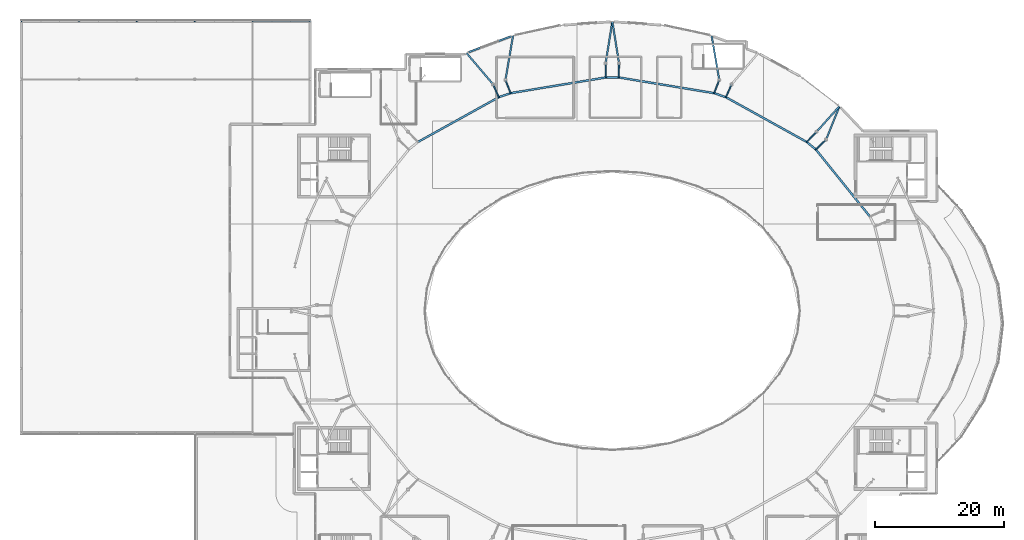
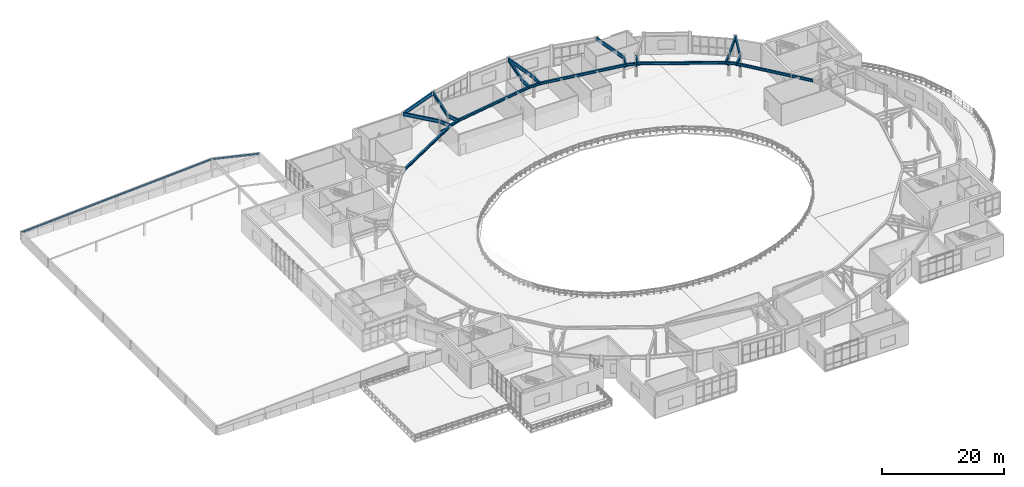
# One storey, part 26 of 48: 27 beams, 8 members.
"""IFC4 building model written with IfcOpenShell, lengths in metres."""

from ifc_helpers import new_model, si_unit, direction, frame, origin, origin_2d, place, context, subcontext, project, spatial, hollow_circle, i_section, extrude, material, material_profile, profile_set, type_object, element, save


model = new_model("IFC4")

# Units and contexts
model_context = context("Model", 3, precision=1e-05, world=origin(), true_north=direction((0.0, 1.0)))
body_context = subcontext(model_context, "Body", "Model", "MODEL_VIEW")
ifc_project = project(units=[si_unit("LENGTHUNIT", "METRE"), si_unit("AREAUNIT", "SQUARE_METRE"), si_unit("VOLUMEUNIT", "CUBIC_METRE"), si_unit("PLANEANGLEUNIT", "RADIAN"), si_unit("MASSUNIT", "GRAM", prefix="KILO")], contexts=[model_context])

# Site, building, storey
site_placement = place(None, origin())
site = spatial("IfcSite", under=ifc_project, at=site_placement, CompositionType="ELEMENT")
building_placement = place(site_placement, origin())
building = spatial("IfcBuilding", under=site, at=building_placement, Name="Glasvene Arena", CompositionType="ELEMENT")
storey_placement = place(building_placement, frame((0.0, 0.0, 19.5)))
storey = spatial("IfcBuildingStorey", under=building, at=storey_placement, Name="L04", CompositionType="ELEMENT", Elevation=19.5)

# Beams
ifc_material = material(Name="Steel S355J2", Category="steel")
ifc_material_profile_1 = material_profile(ifc_material, i_section(OverallWidth=0.300048828125, OverallDepth=0.5, WebThickness=0.014404296875, FlangeThickness=0.028076171875, FilletRadius=0.027099609375, at=origin_2d()), Name="HEB 500")
ifc_profile_set_1 = profile_set([ifc_material_profile_1], Name="Steel S355J2")
beam_type_1 = type_object("IfcBeamType", Name="BM-EAVE-CANT", PredefinedType="BEAM", material=ifc_profile_set_1)
beam_1_placement = place(storey_placement, frame((132.0751953125, 87.648681640625, 4.0), z_axis=(-0.627641676125, 0.778502361198, 0.0), x_axis=(-0.778502361198, -0.627641676125, 0.0)))
element("IfcBeam", 1, at=beam_1_placement, inside=storey, type_object=beam_type_1, Name="Gondola inner ring girder 03", PredefinedType="BEAM", context=body_context, shape_type="SweptSolid", body=[
    extrude(i_section(OverallWidth=0.300048828125, OverallDepth=0.5, WebThickness=0.014404296875, FlangeThickness=0.028076171875, FilletRadius=0.027099609375, at=origin_2d()), origin(), (0.0, 0.0, 1.0), 13.39794921875),
])
beam_2_placement = place(storey_placement, frame((123.666015625, 98.0791015625, 4.0), z_axis=(-0.770027193344, 0.638011066919, 0.0), x_axis=(-0.638011066919, -0.770027193344, 0.0)))
element("IfcBeam", 2, at=beam_2_placement, inside=storey, type_object=beam_type_1, Name="Gondola inner ring girder 04", PredefinedType="BEAM", context=body_context, shape_type="SweptSolid", body=[
    extrude(i_section(OverallWidth=0.300048828125, OverallDepth=0.5, WebThickness=0.014404296875, FlangeThickness=0.028076171875, FilletRadius=0.027099609375, at=origin_2d()), origin(), (0.0, 0.0, 1.0), 1.8251953125),
])
beam_3_placement = place(storey_placement, frame((122.260498046875, 99.24365234375, 4.0), z_axis=(-0.87482167475, 0.484445081911, 0.0), x_axis=(-0.484445081911, -0.87482167475, 0.0)))
element("IfcBeam", 3, at=beam_3_placement, inside=storey, type_object=beam_type_1, Name="Gondola inner ring girder 05", PredefinedType="BEAM", context=body_context, shape_type="SweptSolid", body=[
    extrude(i_section(OverallWidth=0.300048828125, OverallDepth=0.5, WebThickness=0.014404296875, FlangeThickness=0.028076171875, FilletRadius=0.027099609375, at=origin_2d()), origin(), (0.0, 0.0, 1.0), 14.385986328125),
])
beam_4_placement = place(storey_placement, frame((109.67529296875, 106.212890625, 4.0), z_axis=(-0.945777169561, 0.324816171915, 0.0), x_axis=(-0.324816171915, -0.945777169561, 0.0)))
element("IfcBeam", 4, at=beam_4_placement, inside=storey, type_object=beam_type_1, Name="Gondola inner ring girder 06", PredefinedType="BEAM", context=body_context, shape_type="SweptSolid", body=[
    extrude(i_section(OverallWidth=0.300048828125, OverallDepth=0.5, WebThickness=0.014404296875, FlangeThickness=0.028076171875, FilletRadius=0.027099609375, at=origin_2d()), origin(), (0.0, 0.0, 1.0), 1.94140625),
])
beam_5_placement = place(storey_placement, frame((107.839111328125, 106.843505859375, 4.0), z_axis=(-0.98668314194, 0.16265416506, 0.0), x_axis=(-0.16265416506, -0.98668314194, 0.0)))
element("IfcBeam", 5, at=beam_5_placement, inside=storey, type_object=beam_type_1, Name="Gondola inner ring girder 07", PredefinedType="BEAM", context=body_context, shape_type="SweptSolid", body=[
    extrude(i_section(OverallWidth=0.300048828125, OverallDepth=0.5, WebThickness=0.014404296875, FlangeThickness=0.028076171875, FilletRadius=0.027099609375, at=origin_2d()), origin(), (0.0, 0.0, 1.0), 15.0458984375),
])
beam_6_placement = place(storey_placement, frame((92.99365234375, 109.290771484375, 4.0), z_axis=(-1.0, 0.0, 0.0), x_axis=(0.0, -1.0, 0.0)))
element("IfcBeam", 6, at=beam_6_placement, inside=storey, type_object=beam_type_1, Name="Gondola inner ring girder 08", PredefinedType="BEAM", context=body_context, shape_type="SweptSolid", body=[
    extrude(i_section(OverallWidth=0.300048828125, OverallDepth=0.5, WebThickness=0.014404296875, FlangeThickness=0.028076171875, FilletRadius=0.027099609375, at=origin_2d()), origin(), (0.0, 0.0, 1.0), 1.9873046875),
])
beam_7_placement = place(storey_placement, frame((91.00634765625, 109.290771484375, 4.0), z_axis=(-0.98668314194, -0.16265416506, 0.0), x_axis=(0.16265416506, -0.98668314194, 0.0)))
element("IfcBeam", 7, at=beam_7_placement, inside=storey, type_object=beam_type_1, Name="Gondola inner ring girder 09", PredefinedType="BEAM", context=body_context, shape_type="SweptSolid", body=[
    extrude(i_section(OverallWidth=0.300048828125, OverallDepth=0.5, WebThickness=0.014404296875, FlangeThickness=0.028076171875, FilletRadius=0.027099609375, at=origin_2d()), origin(), (0.0, 0.0, 1.0), 15.0458984375),
])
beam_8_placement = place(storey_placement, frame((76.160888671875, 106.843505859375, 4.0), z_axis=(-0.945777169561, -0.324816171915, 0.0), x_axis=(0.324816171915, -0.945777169561, 0.0)))
element("IfcBeam", 8, at=beam_8_placement, inside=storey, type_object=beam_type_1, Name="Gondola inner ring girder 10", PredefinedType="BEAM", context=body_context, shape_type="SweptSolid", body=[
    extrude(i_section(OverallWidth=0.300048828125, OverallDepth=0.5, WebThickness=0.014404296875, FlangeThickness=0.028076171875, FilletRadius=0.027099609375, at=origin_2d()), origin(), (0.0, 0.0, 1.0), 1.94140625),
])
beam_9_placement = place(storey_placement, frame((74.32470703125, 106.212890625, 4.0), z_axis=(-0.87482167475, -0.484445081911, 0.0), x_axis=(0.484445081911, -0.87482167475, 0.0)))
element("IfcBeam", 9, at=beam_9_placement, inside=storey, type_object=beam_type_1, Name="Gondola inner ring girder 11", PredefinedType="BEAM", context=body_context, shape_type="SweptSolid", body=[
    extrude(i_section(OverallWidth=0.300048828125, OverallDepth=0.5, WebThickness=0.014404296875, FlangeThickness=0.028076171875, FilletRadius=0.027099609375, at=origin_2d()), origin(), (0.0, 0.0, 1.0), 14.385986328125),
])
ifc_material_profile_2 = material_profile(ifc_material, i_section(OverallWidth=0.253662109375, OverallDepth=0.68359375, WebThickness=0.012451171875, FlangeThickness=0.01904296875, FilletRadius=0.01513671875, at=origin_2d()), Name="UKB 686x254x140")
ifc_profile_set_2 = profile_set([ifc_material_profile_2], Name="Steel S355J2")
beam_type_2 = type_object("IfcBeamType", Name="BM-GIRD-686", PredefinedType="BEAM", material=ifc_profile_set_2)
beam_10_placement = place(storey_placement, frame((76.32421875, 115.713623046875, 3.908203125), z_axis=(-0.937013245498, -0.349293827259, 0.0), x_axis=(0.349293827259, -0.937013245498, 0.0)))
element("IfcBeam", 10, at=beam_10_placement, inside=storey, type_object=beam_type_2, Name="Bowl ring chord beam L04-13", PredefinedType="BEAM", context=body_context, shape_type="SweptSolid", body=[
    extrude(i_section(OverallWidth=0.253662109375, OverallDepth=0.68359375, WebThickness=0.012451171875, FlangeThickness=0.01904296875, FilletRadius=0.01513671875, at=origin_2d()), origin(), (0.0, 0.0, 1.0), 7.255859375),
])
beam_11_placement = place(storey_placement, frame((125.256591796875, 99.59912109375, 3.908203125), z_axis=(0.372976095384, 0.927840952034, 0.0), x_axis=(-0.927840952034, 0.372976095384, 0.0)))
element("IfcBeam", 11, at=beam_11_placement, inside=storey, type_object=beam_type_2, Name="Gondola outer floor beam 04", PredefinedType="BEAM", context=body_context, shape_type="SweptSolid", body=[
    extrude(i_section(OverallWidth=0.253662109375, OverallDepth=0.68359375, WebThickness=0.012451171875, FlangeThickness=0.01904296875, FilletRadius=0.01513671875, at=origin_2d()), origin(), (0.0, 0.0, 1.0), 5.626708984375),
])
beam_12_placement = place(storey_placement, frame((123.666015625, 98.0791015625, 3.908203125), z_axis=(0.722959897674, 0.690889995843, 0.0), x_axis=(-0.690889995843, 0.722959897674, 0.0)))
element("IfcBeam", 12, at=beam_12_placement, inside=storey, type_object=beam_type_2, Name="Gondola inner bracket beam 04", PredefinedType="BEAM", context=body_context, shape_type="SweptSolid", body=[
    extrude(i_section(OverallWidth=0.253662109375, OverallDepth=0.68359375, WebThickness=0.012451171875, FlangeThickness=0.01904296875, FilletRadius=0.01513671875, at=origin_2d()), origin(), (0.0, 0.0, 1.0), 2.2001953125),
])
beam_13_placement = place(storey_placement, frame((123.780517578125, 100.834228515625, 3.908203125), z_axis=(0.667691455448, 0.744438123904, 0.0), x_axis=(-0.744438123904, 0.667691455448, 0.0)))
element("IfcBeam", 13, at=beam_13_placement, inside=storey, type_object=beam_type_2, Name="Gondola outer floor beam 05", PredefinedType="BEAM", context=body_context, shape_type="SweptSolid", body=[
    extrude(i_section(OverallWidth=0.253662109375, OverallDepth=0.68359375, WebThickness=0.012451171875, FlangeThickness=0.01904296875, FilletRadius=0.01513671875, at=origin_2d()), origin(), (0.0, 0.0, 1.0), 5.353759765625),
])
beam_14_placement = place(storey_placement, frame((122.260498046875, 99.24365234375, 3.908203125), z_axis=(0.690889995843, 0.722959897674, 0.0), x_axis=(-0.722959897674, 0.690889995843, 0.0)))
element("IfcBeam", 14, at=beam_14_placement, inside=storey, type_object=beam_type_2, Name="Gondola inner bracket beam 05", PredefinedType="BEAM", context=body_context, shape_type="SweptSolid", body=[
    extrude(i_section(OverallWidth=0.253662109375, OverallDepth=0.68359375, WebThickness=0.012451171875, FlangeThickness=0.01904296875, FilletRadius=0.01513671875, at=origin_2d()), origin(), (0.0, 0.0, 1.0), 2.2001953125),
])
beam_15_placement = place(storey_placement, frame((109.67529296875, 106.212890625, 3.908203125), z_axis=(0.403500861831, 0.91497926452, 0.0), x_axis=(-0.91497926452, 0.403500861831, 0.0)))
element("IfcBeam", 15, at=beam_15_placement, inside=storey, type_object=beam_type_2, Name="Gondola inner bracket beam 06", PredefinedType="BEAM", context=body_context, shape_type="SweptSolid", body=[
    extrude(i_section(OverallWidth=0.253662109375, OverallDepth=0.68359375, WebThickness=0.012451171875, FlangeThickness=0.01904296875, FilletRadius=0.01513671875, at=origin_2d()), origin(), (0.0, 0.0, 1.0), 2.199951171875),
])
beam_16_placement = place(storey_placement, frame((108.634765625, 108.89453125, 3.908203125), z_axis=(-0.169060564867, 0.985605664253, 0.0), x_axis=(-0.985605664253, -0.169060564867, 0.0)))
element("IfcBeam", 16, at=beam_16_placement, inside=storey, type_object=beam_type_2, Name="Gondola outer floor beam 07", PredefinedType="BEAM", context=body_context, shape_type="SweptSolid", body=[
    extrude(i_section(OverallWidth=0.253662109375, OverallDepth=0.68359375, WebThickness=0.012451171875, FlangeThickness=0.01904296875, FilletRadius=0.01513671875, at=origin_2d()), origin(), (0.0, 0.0, 1.0), 7.00390625),
])
beam_17_placement = place(storey_placement, frame((107.839111328125, 106.843505859375, 3.908203125), z_axis=(0.361669603408, 0.932306332688, 0.0), x_axis=(-0.932306332688, 0.361669603408, 0.0)))
element("IfcBeam", 17, at=beam_17_placement, inside=storey, type_object=beam_type_2, Name="Gondola inner bracket beam 07", PredefinedType="BEAM", context=body_context, shape_type="SweptSolid", body=[
    extrude(i_section(OverallWidth=0.253662109375, OverallDepth=0.68359375, WebThickness=0.012451171875, FlangeThickness=0.01904296875, FilletRadius=0.01513671875, at=origin_2d()), origin(), (0.0, 0.0, 1.0), 2.199951171875),
])
beam_18_placement = place(storey_placement, frame((93.043701171875, 111.489990234375, 3.908203125), z_axis=(-0.158300997848, 0.987390902369, 0.0), x_axis=(-0.987390902369, -0.158300997848, 0.0)))
element("IfcBeam", 18, at=beam_18_placement, inside=storey, type_object=beam_type_2, Name="Gondola outer floor beam 08", PredefinedType="BEAM", context=body_context, shape_type="SweptSolid", body=[
    extrude(i_section(OverallWidth=0.253662109375, OverallDepth=0.68359375, WebThickness=0.012451171875, FlangeThickness=0.01904296875, FilletRadius=0.01513671875, at=origin_2d()), origin(), (0.0, 0.0, 1.0), 6.59326171875),
])
beam_19_placement = place(storey_placement, frame((92.99365234375, 109.290771484375, 3.908203125), z_axis=(0.022751657998, 0.999741147527, 0.0), x_axis=(-0.999741147527, 0.022751657998, 0.0)))
element("IfcBeam", 19, at=beam_19_placement, inside=storey, type_object=beam_type_2, Name="Gondola inner bracket beam 08", PredefinedType="BEAM", context=body_context, shape_type="SweptSolid", body=[
    extrude(i_section(OverallWidth=0.253662109375, OverallDepth=0.68359375, WebThickness=0.012451171875, FlangeThickness=0.01904296875, FilletRadius=0.01513671875, at=origin_2d()), origin(), (0.0, 0.0, 1.0), 2.19970703125),
])
beam_20_placement = place(storey_placement, frame((90.956298828125, 111.489990234375, 3.908203125), z_axis=(0.158300997848, 0.987390902369, 0.0), x_axis=(-0.987390902369, 0.158300997848, 0.0)))
element("IfcBeam", 20, at=beam_20_placement, inside=storey, type_object=beam_type_2, Name="Gondola outer floor beam 09", PredefinedType="BEAM", context=body_context, shape_type="SweptSolid", body=[
    extrude(i_section(OverallWidth=0.253662109375, OverallDepth=0.68359375, WebThickness=0.012451171875, FlangeThickness=0.01904296875, FilletRadius=0.01513671875, at=origin_2d()), origin(), (0.0, 0.0, 1.0), 6.59326171875),
])
beam_21_placement = place(storey_placement, frame((91.00634765625, 109.290771484375, 3.908203125), z_axis=(-0.022751657998, 0.999741147527, 0.0), x_axis=(-0.999741147527, -0.022751657998, 0.0)))
element("IfcBeam", 21, at=beam_21_placement, inside=storey, type_object=beam_type_2, Name="Gondola inner bracket beam 09", PredefinedType="BEAM", context=body_context, shape_type="SweptSolid", body=[
    extrude(i_section(OverallWidth=0.253662109375, OverallDepth=0.68359375, WebThickness=0.012451171875, FlangeThickness=0.01904296875, FilletRadius=0.01513671875, at=origin_2d()), origin(), (0.0, 0.0, 1.0), 2.19970703125),
])
beam_22_placement = place(storey_placement, frame((75.365234375, 108.89453125, 3.908203125), z_axis=(0.169060564867, 0.985605664253, 0.0), x_axis=(-0.985605664253, 0.169060564867, 0.0)))
element("IfcBeam", 22, at=beam_22_placement, inside=storey, type_object=beam_type_2, Name="Gondola outer floor beam 10", PredefinedType="BEAM", context=body_context, shape_type="SweptSolid", body=[
    extrude(i_section(OverallWidth=0.253662109375, OverallDepth=0.68359375, WebThickness=0.012451171875, FlangeThickness=0.01904296875, FilletRadius=0.01513671875, at=origin_2d()), origin(), (0.0, 0.0, 1.0), 7.00390625),
])
beam_23_placement = place(storey_placement, frame((76.160888671875, 106.843505859375, 3.908203125), z_axis=(-0.361669603408, 0.932306332688, 0.0), x_axis=(-0.932306332688, -0.361669603408, 0.0)))
element("IfcBeam", 23, at=beam_23_placement, inside=storey, type_object=beam_type_2, Name="Gondola inner bracket beam 10", PredefinedType="BEAM", context=body_context, shape_type="SweptSolid", body=[
    extrude(i_section(OverallWidth=0.253662109375, OverallDepth=0.68359375, WebThickness=0.012451171875, FlangeThickness=0.01904296875, FilletRadius=0.01513671875, at=origin_2d()), origin(), (0.0, 0.0, 1.0), 2.199951171875),
])
beam_24_placement = place(storey_placement, frame((73.43701171875, 108.225830078125, 3.908203125), z_axis=(-0.647421006623, 0.762132560768, 0.0), x_axis=(-0.762132560768, -0.647421006623, 0.0)))
element("IfcBeam", 24, at=beam_24_placement, inside=storey, type_object=beam_type_2, Name="Gondola outer floor beam 11", PredefinedType="BEAM", context=body_context, shape_type="SweptSolid", body=[
    extrude(i_section(OverallWidth=0.253662109375, OverallDepth=0.68359375, WebThickness=0.012451171875, FlangeThickness=0.01904296875, FilletRadius=0.01513671875, at=origin_2d()), origin(), (0.0, 0.0, 1.0), 6.38916015625),
])
beam_25_placement = place(storey_placement, frame((74.32470703125, 106.212890625, 3.908203125), z_axis=(-0.403500861831, 0.91497926452, 0.0), x_axis=(-0.91497926452, -0.403500861831, 0.0)))
element("IfcBeam", 25, at=beam_25_placement, inside=storey, type_object=beam_type_2, Name="Gondola inner bracket beam 11", PredefinedType="BEAM", context=body_context, shape_type="SweptSolid", body=[
    extrude(i_section(OverallWidth=0.253662109375, OverallDepth=0.68359375, WebThickness=0.012451171875, FlangeThickness=0.01904296875, FilletRadius=0.01513671875, at=origin_2d()), origin(), (0.0, 0.0, 1.0), 2.199951171875),
])
ifc_material_profile_3 = material_profile(ifc_material, i_section(OverallWidth=0.1650390625, OverallDepth=0.303466796875, WebThickness=0.006103515625, FlangeThickness=0.01025390625, FilletRadius=0.0087890625, at=origin_2d()), Name="UKB 305x165x40")
ifc_profile_set_3 = profile_set([ifc_material_profile_3], Name="Steel S355J2")
beam_type_3 = type_object("IfcBeamType", Name="BM-RAFTER-305", PredefinedType="BEAM", material=ifc_profile_set_3)
beam_26_placement = place(storey_placement, frame((0.0, 118.0, 1.489990234375), z_axis=(0.998382520726, 0.0, 0.056853692129), x_axis=(0.0, 1.0, 0.0)))
element("IfcBeam", 26, at=beam_26_placement, inside=storey, type_object=beam_type_3, Name="Wing roof rafter V4-W-118", PredefinedType="BEAM", context=body_context, shape_type="SweptSolid", body=[
    extrude(i_section(OverallWidth=0.1650390625, OverallDepth=0.303466796875, WebThickness=0.006103515625, FlangeThickness=0.01025390625, FilletRadius=0.0087890625, at=origin_2d()), origin(), (0.0, 0.0, 1.0), 36.058349609375),
])
beam_27_placement = place(storey_placement, frame((36.0, 118.0, 3.5400390625), z_axis=(0.975025177188, 0.0, -0.222094357987), x_axis=(0.0, 1.0, 0.0)))
element("IfcBeam", 27, at=beam_27_placement, inside=storey, type_object=beam_type_3, Name="Wing roof rafter V4-E-118", PredefinedType="BEAM", context=body_context, shape_type="SweptSolid", body=[
    extrude(i_section(OverallWidth=0.1650390625, OverallDepth=0.303466796875, WebThickness=0.006103515625, FlangeThickness=0.01025390625, FilletRadius=0.0087890625, at=origin_2d()), origin(), (0.0, 0.0, 1.0), 9.23046875),
])

# Members
ifc_material_profile_4 = material_profile(ifc_material, hollow_circle(Radius=0.109619140625, WallThickness=0.010009765625, at=origin_2d()), Name="CHS 219.1x10.0")
ifc_profile_set_4 = profile_set([ifc_material_profile_4], Name="Steel S355J2")
member_type = type_object("IfcMemberType", Name="MB-WEB-CHS219", PredefinedType="BRACE", material=ifc_profile_set_4)
for number, where, z_axis, x_axis, name in (
    (28, (125.256591796875, 99.59912109375, 1.89990234375), (-0.534956799897, -0.511226559656, 0.672657882542), (0.690889995843, -0.722959897674, 0.0), "Gondola inclined knee strut 04"),
    (29, (123.780517578125, 100.834228515625, 1.89990234375), (-0.511226559656, -0.534956799897, 0.672657882542), (0.722959897674, -0.690889995843, 0.0), "Gondola inclined knee strut 05"),
):
    element("IfcMember", number, at=place(storey_placement, frame(where, z_axis=z_axis, x_axis=x_axis)), inside=storey, type_object=member_type, Name=name, PredefinedType="BRACE", context=body_context, shape_type="SweptSolid", body=[
        extrude(hollow_circle(Radius=0.109619140625, WallThickness=0.010009765625, at=origin_2d()), origin(), (0.0, 0.0, 1.0), 2.973388671875),
    ])
for number, where, z_axis, x_axis, name in (
    (30, (110.56298828125, 108.225830078125, 1.89990234375), (-0.298565455376, -0.677027552138, 0.672675525423), (0.91497926452, -0.403500861831, 0.0), "Gondola inclined knee strut 06"),
    (31, (108.634765625, 108.89453125, 1.89990234375), (-0.267610967033, -0.689843428671, 0.672681510258), (0.932306332688, -0.361669603408, 0.0), "Gondola inclined knee strut 07"),
    (32, (93.043701171875, 111.489990234375, 1.89990234375), (-0.016834129963, -0.739716305895, 0.672708256871), (0.999741147527, -0.022751657998, 0.0), "Gondola inclined knee strut 08"),
    (33, (90.956298828125, 111.489990234375, 1.89990234375), (0.016834129963, -0.739716305895, 0.672708256871), (0.999741147527, 0.022751657998, 0.0), "Gondola inclined knee strut 09"),
    (34, (75.365234375, 108.89453125, 1.89990234375), (0.267610967033, -0.689843428671, 0.672681510258), (0.932306332688, 0.361669603408, 0.0), "Gondola inclined knee strut 10"),
    (35, (73.43701171875, 108.225830078125, 1.89990234375), (0.298565455376, -0.677027552138, 0.672675525423), (0.91497926452, 0.403500861831, 0.0), "Gondola inclined knee strut 11"),
):
    element("IfcMember", number, at=place(storey_placement, frame(where, z_axis=z_axis, x_axis=x_axis)), inside=storey, type_object=member_type, Name=name, PredefinedType="BRACE", context=body_context, shape_type="SweptSolid", body=[
        extrude(hollow_circle(Radius=0.109619140625, WallThickness=0.010009765625, at=origin_2d()), origin(), (0.0, 0.0, 1.0), 2.97314453125),
    ])

save(model, "model.ifc")
